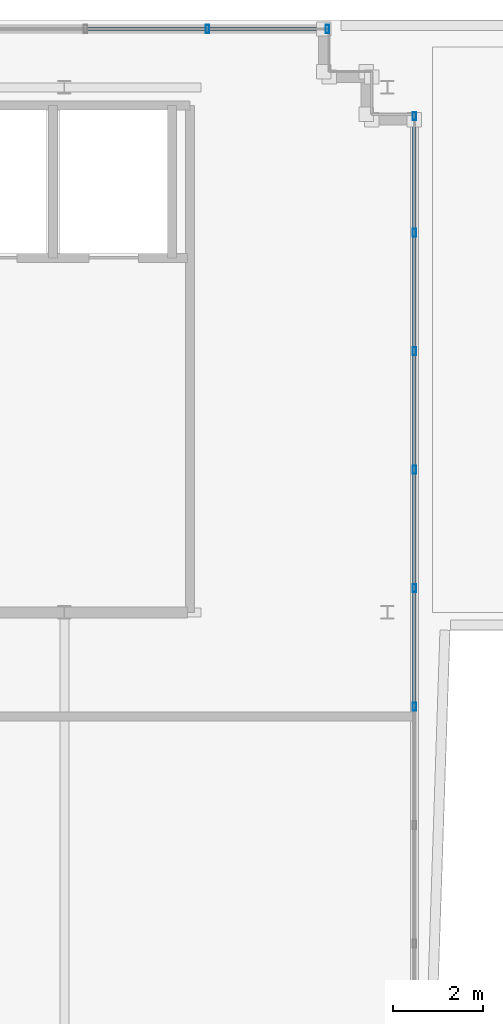
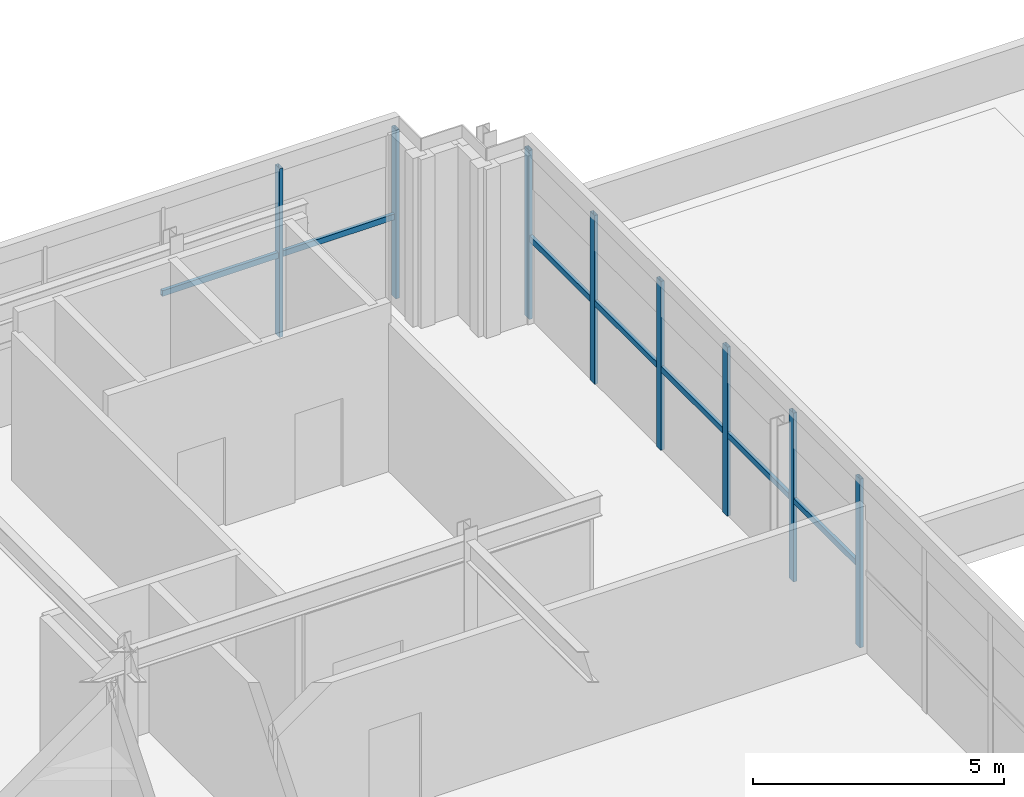
# One storey, part 12 of 31: 15 members, 2 elements without a shape of their own.
"""IFC4 building model written with IfcOpenShell, lengths in metres."""

from ifc_helpers import new_model, si_unit, direction, frame, origin, origin_2d, place, context, subcontext, project, spatial, hollow_rectangle, extrude, source, transform, mapped, material, material_profile, profile_set, type_object, element, aggregate, save


model = new_model("IFC4")

# Units and contexts
model_context = context("Model", 3, precision=1e-05, world=origin(), true_north=direction((0.0, 1.0)))
body_context = subcontext(model_context, "Body", "Model", "MODEL_VIEW")
ifc_project = project(units=[si_unit("LENGTHUNIT", "METRE"), si_unit("AREAUNIT", "SQUARE_METRE"), si_unit("VOLUMEUNIT", "CUBIC_METRE"), si_unit("PLANEANGLEUNIT", "RADIAN"), si_unit("MASSUNIT", "GRAM", prefix="KILO")], contexts=[model_context])

# Site, building, storey
site_placement = place(None, origin())
site = spatial("IfcSite", under=ifc_project, at=site_placement, CompositionType="ELEMENT")
building_placement = place(site_placement, origin())
building = spatial("IfcBuilding", under=site, at=building_placement, Name="Trelvane Seafront Commons", CompositionType="ELEMENT")
storey_placement = place(building_placement, frame((0.0, 0.0, 307.89990234375)))
storey = spatial("IfcBuildingStorey", under=building, at=storey_placement, Name="L80", CompositionType="ELEMENT", Elevation=307.89990234375)

# Curtain wall, members
ifc_material = material(Name="Anodised pale-silver aluminium", Category="aluminium")
curtain_wall_type = type_object("IfcCurtainWallType", Name="ARCH-CW6-CROWN", PredefinedType="NOTDEFINED", material=ifc_material)
curtain_wall_1_placement = place(storey_placement, origin())
curtain_wall_1 = element("IfcCurtainWall", 1, at=curtain_wall_1_placement, inside=storey, type_object=curtain_wall_type, Name="CW-L80-0137", PredefinedType="NOTDEFINED")
ifc_material_profile_1 = material_profile(ifc_material, hollow_rectangle(XDim=0.080078125, YDim=0.179931640625, WallThickness=0.00439453125, at=origin_2d()), Name="MULL-80x180x4.5")
ifc_profile_set_1 = profile_set([ifc_material_profile_1], Name="Anodised pale-silver aluminium")
member_type_1 = type_object("IfcMemberType", Name="ARCH-CW-MULL-180", PredefinedType="MULLION", material=ifc_profile_set_1)
shared_shape_1 = source(origin(), body_context, "Body", "SweptSolid", [
    extrude(hollow_rectangle(XDim=0.080078125, YDim=0.179931640625, WallThickness=0.00439453125, at=origin_2d()), origin(), (0.0, 0.0, 1.0), 4.10009765625),
])
member_1_placement = place(storey_placement, frame((26.585693359375, 46.39990234375, 0.0), z_axis=(0.0, 0.0, 1.0), x_axis=(1.0, 0.0, 0.0)))
member_1 = element("IfcMember", 2, at=member_1_placement, type_object=member_type_1, Name="CW-L80-0137-M06", PredefinedType="MULLION", context=body_context, shape_type="MappedRepresentation", body=[
    mapped(shared_shape_1, transform((0.0, 0.0, 0.0), x_axis=(1.0, 0.0, 0.0), y_axis=(0.0, 1.0, 0.0), z_axis=(0.0, 0.0, 1.0), scale=1.0)),
])
member_2_placement = place(storey_placement, frame((29.260009765625, 46.39990234375, 0.0), z_axis=(0.0, 0.0, 1.0), x_axis=(1.0, 0.0, 0.0)))
member_2 = element("IfcMember", 3, at=member_2_placement, type_object=member_type_1, Name="CW-L80-0137-M07", PredefinedType="MULLION", context=body_context, shape_type="MappedRepresentation", body=[
    mapped(shared_shape_1, transform((0.0, 0.0, 0.0), x_axis=(1.0, 0.0, 0.0), y_axis=(0.0, 1.0, 0.0), z_axis=(0.0, 0.0, 1.0), scale=1.0)),
])

curtain_wall_2_placement = place(storey_placement, origin())
curtain_wall_2 = element("IfcCurtainWall", 4, at=curtain_wall_2_placement, inside=storey, type_object=curtain_wall_type, Name="CW-L80-0138", PredefinedType="NOTDEFINED")
member_3_placement = place(storey_placement, frame((31.199951171875, 44.4599609375, 0.0), z_axis=(0.0, 0.0, 1.0), x_axis=(1.0, 0.0, 0.0)))
member_3 = element("IfcMember", 5, at=member_3_placement, type_object=member_type_1, Name="CW-L80-0138-M00", PredefinedType="MULLION", context=body_context, shape_type="MappedRepresentation", body=[
    mapped(shared_shape_1, transform((0.0, 0.0, 0.0), x_axis=(1.0, 0.0, 0.0), y_axis=(0.0, 1.0, 0.0), z_axis=(0.0, 0.0, 1.0), scale=1.0)),
])
member_4_placement = place(storey_placement, frame((31.199951171875, 41.860107421875, 0.0), z_axis=(0.0, 0.0, 1.0), x_axis=(1.0, 0.0, 0.0)))
member_4 = element("IfcMember", 6, at=member_4_placement, type_object=member_type_1, Name="CW-L80-0138-M01", PredefinedType="MULLION", context=body_context, shape_type="MappedRepresentation", body=[
    mapped(shared_shape_1, transform((0.0, 0.0, 0.0), x_axis=(1.0, 0.0, 0.0), y_axis=(0.0, 1.0, 0.0), z_axis=(0.0, 0.0, 1.0), scale=1.0)),
])
member_5_placement = place(storey_placement, frame((31.199951171875, 39.219970703125, 0.0), z_axis=(0.0, 0.0, 1.0), x_axis=(1.0, 0.0, 0.0)))
member_5 = element("IfcMember", 7, at=member_5_placement, type_object=member_type_1, Name="CW-L80-0138-M02", PredefinedType="MULLION", context=body_context, shape_type="MappedRepresentation", body=[
    mapped(shared_shape_1, transform((0.0, 0.0, 0.0), x_axis=(1.0, 0.0, 0.0), y_axis=(0.0, 1.0, 0.0), z_axis=(0.0, 0.0, 1.0), scale=1.0)),
])
member_6_placement = place(storey_placement, frame((31.199951171875, 36.580078125, 0.0), z_axis=(0.0, 0.0, 1.0), x_axis=(1.0, 0.0, 0.0)))
member_6 = element("IfcMember", 8, at=member_6_placement, type_object=member_type_1, Name="CW-L80-0138-M03", PredefinedType="MULLION", context=body_context, shape_type="MappedRepresentation", body=[
    mapped(shared_shape_1, transform((0.0, 0.0, 0.0), x_axis=(1.0, 0.0, 0.0), y_axis=(0.0, 1.0, 0.0), z_axis=(0.0, 0.0, 1.0), scale=1.0)),
])
member_7_placement = place(storey_placement, frame((31.199951171875, 33.93994140625, 0.0), z_axis=(0.0, 0.0, 1.0), x_axis=(1.0, 0.0, 0.0)))
member_7 = element("IfcMember", 9, at=member_7_placement, type_object=member_type_1, Name="CW-L80-0138-M04", PredefinedType="MULLION", context=body_context, shape_type="MappedRepresentation", body=[
    mapped(shared_shape_1, transform((0.0, 0.0, 0.0), x_axis=(1.0, 0.0, 0.0), y_axis=(0.0, 1.0, 0.0), z_axis=(0.0, 0.0, 1.0), scale=1.0)),
])
member_8_placement = place(storey_placement, frame((31.199951171875, 31.300048828125, 0.0), z_axis=(0.0, 0.0, 1.0), x_axis=(1.0, 0.0, 0.0)))
member_8 = element("IfcMember", 10, at=member_8_placement, type_object=member_type_1, Name="CW-L80-0138-M05", PredefinedType="MULLION", context=body_context, shape_type="MappedRepresentation", body=[
    mapped(shared_shape_1, transform((0.0, 0.0, 0.0), x_axis=(1.0, 0.0, 0.0), y_axis=(0.0, 1.0, 0.0), z_axis=(0.0, 0.0, 1.0), scale=1.0)),
])
ifc_material_profile_2 = material_profile(ifc_material, hollow_rectangle(XDim=0.074951171875, YDim=0.139892578125, WallThickness=0.00390625, at=origin_2d()), Name="TRAN-75x140x4")
ifc_profile_set_2 = profile_set([ifc_material_profile_2], Name="Anodised pale-silver aluminium")
member_type_2 = type_object("IfcMemberType", Name="ARCH-CW-TRAN-140", PredefinedType="USERDEFINED", material=ifc_profile_set_2)
shared_shape_2 = source(origin(), body_context, "Body", "SweptSolid", [
    extrude(hollow_rectangle(XDim=0.074951171875, YDim=0.139892578125, WallThickness=0.00390625, at=origin_2d()), origin(), (0.0, 0.0, 1.0), 2.615966796875),
])
member_9_placement = place(storey_placement, frame((31.199951171875, 44.488037109375, 1.968017578125), z_axis=(0.0, -1.0, 0.0), x_axis=(1.0, 0.0, 0.0)))
member_9 = element("IfcMember", 11, at=member_9_placement, type_object=member_type_2, Name="CW-L80-0138-T00", ObjectType="TRANSOM", PredefinedType="USERDEFINED", context=body_context, shape_type="MappedRepresentation", body=[
    mapped(shared_shape_2, transform((0.0, 0.0, 0.0), x_axis=(1.0, 0.0, 0.0), y_axis=(0.0, 1.0, 0.0), z_axis=(0.0, 0.0, 1.0), scale=1.0)),
])
member_10_placement = place(storey_placement, frame((31.199951171875, 41.847900390625, 1.968017578125), z_axis=(0.0, -1.0, 0.0), x_axis=(1.0, 0.0, 0.0)))
member_10 = element("IfcMember", 12, at=member_10_placement, type_object=member_type_2, Name="CW-L80-0138-T01", ObjectType="TRANSOM", PredefinedType="USERDEFINED", context=body_context, shape_type="MappedRepresentation", body=[
    mapped(shared_shape_2, transform((0.0, 0.0, 0.0), x_axis=(1.0, 0.0, 0.0), y_axis=(0.0, 1.0, 0.0), z_axis=(0.0, 0.0, 1.0), scale=1.0)),
])
member_11_placement = place(storey_placement, frame((31.199951171875, 39.2080078125, 1.968017578125), z_axis=(0.0, -1.0, 0.0), x_axis=(1.0, 0.0, 0.0)))
member_11 = element("IfcMember", 13, at=member_11_placement, type_object=member_type_2, Name="CW-L80-0138-T02", ObjectType="TRANSOM", PredefinedType="USERDEFINED", context=body_context, shape_type="MappedRepresentation", body=[
    mapped(shared_shape_2, transform((0.0, 0.0, 0.0), x_axis=(1.0, 0.0, 0.0), y_axis=(0.0, 1.0, 0.0), z_axis=(0.0, 0.0, 1.0), scale=1.0)),
])
member_12_placement = place(storey_placement, frame((31.199951171875, 33.927978515625, 1.968017578125), z_axis=(0.0, -1.0, 0.0), x_axis=(1.0, 0.0, 0.0)))
member_12 = element("IfcMember", 14, at=member_12_placement, type_object=member_type_2, Name="CW-L80-0138-T04", ObjectType="TRANSOM", PredefinedType="USERDEFINED", context=body_context, shape_type="MappedRepresentation", body=[
    mapped(shared_shape_2, transform((0.0, 0.0, 0.0), x_axis=(1.0, 0.0, 0.0), y_axis=(0.0, 1.0, 0.0), z_axis=(0.0, 0.0, 1.0), scale=1.0)),
])
shared_shape_3 = source(origin(), body_context, "Body", "SweptSolid", [
    extrude(hollow_rectangle(XDim=0.074951171875, YDim=0.139892578125, WallThickness=0.00390625, at=origin_2d()), origin(), (0.0, 0.0, 1.0), 2.6162109375),
])
member_13_placement = place(storey_placement, frame((31.199951171875, 36.568115234375, 1.968017578125), z_axis=(0.0, -1.0, 0.0), x_axis=(1.0, 0.0, 0.0)))
member_13 = element("IfcMember", 15, at=member_13_placement, type_object=member_type_2, Name="CW-L80-0138-T03", ObjectType="TRANSOM", PredefinedType="USERDEFINED", context=body_context, shape_type="MappedRepresentation", body=[
    mapped(shared_shape_3, transform((0.0, 0.0, 0.0), x_axis=(1.0, 0.0, 0.0), y_axis=(0.0, 1.0, 0.0), z_axis=(0.0, 0.0, 1.0), scale=1.0)),
])
aggregate(curtain_wall_2, [member_3, member_4, member_5, member_6, member_7, member_8, member_9, member_10, member_11, member_13, member_12])

# Member
shared_shape_4 = source(origin(), body_context, "Body", "SweptSolid", [
    extrude(hollow_rectangle(XDim=0.074951171875, YDim=0.139892578125, WallThickness=0.00390625, at=origin_2d()), origin(), (0.0, 0.0, 1.0), 2.6904296875),
])
member_14_placement = place(storey_placement, frame((23.88330078125, 46.39990234375, 1.968017578125), z_axis=(1.0, 0.0, 0.0), x_axis=(0.0, 1.0, 0.0)))
member_14 = element("IfcMember", 16, at=member_14_placement, type_object=member_type_2, Name="CW-L80-0137-T05", ObjectType="TRANSOM", PredefinedType="USERDEFINED", context=body_context, shape_type="MappedRepresentation", body=[
    mapped(shared_shape_4, transform((0.0, 0.0, 0.0), x_axis=(1.0, 0.0, 0.0), y_axis=(0.0, 1.0, 0.0), z_axis=(0.0, 0.0, 1.0), scale=1.0)),
])

member_15_placement = place(storey_placement, frame((26.59765625, 46.39990234375, 1.968017578125), z_axis=(1.0, 0.0, 0.0), x_axis=(0.0, 1.0, 0.0)))
member_15 = element("IfcMember", 17, at=member_15_placement, type_object=member_type_2, Name="CW-L80-0137-T06", ObjectType="TRANSOM", PredefinedType="USERDEFINED", context=body_context, shape_type="MappedRepresentation", body=[
    mapped(shared_shape_4, transform((0.0, 0.0, 0.0), x_axis=(1.0, 0.0, 0.0), y_axis=(0.0, 1.0, 0.0), z_axis=(0.0, 0.0, 1.0), scale=1.0)),
])

aggregate(curtain_wall_1, [member_1, member_2, member_14, member_15])

save(model, "model.ifc")
